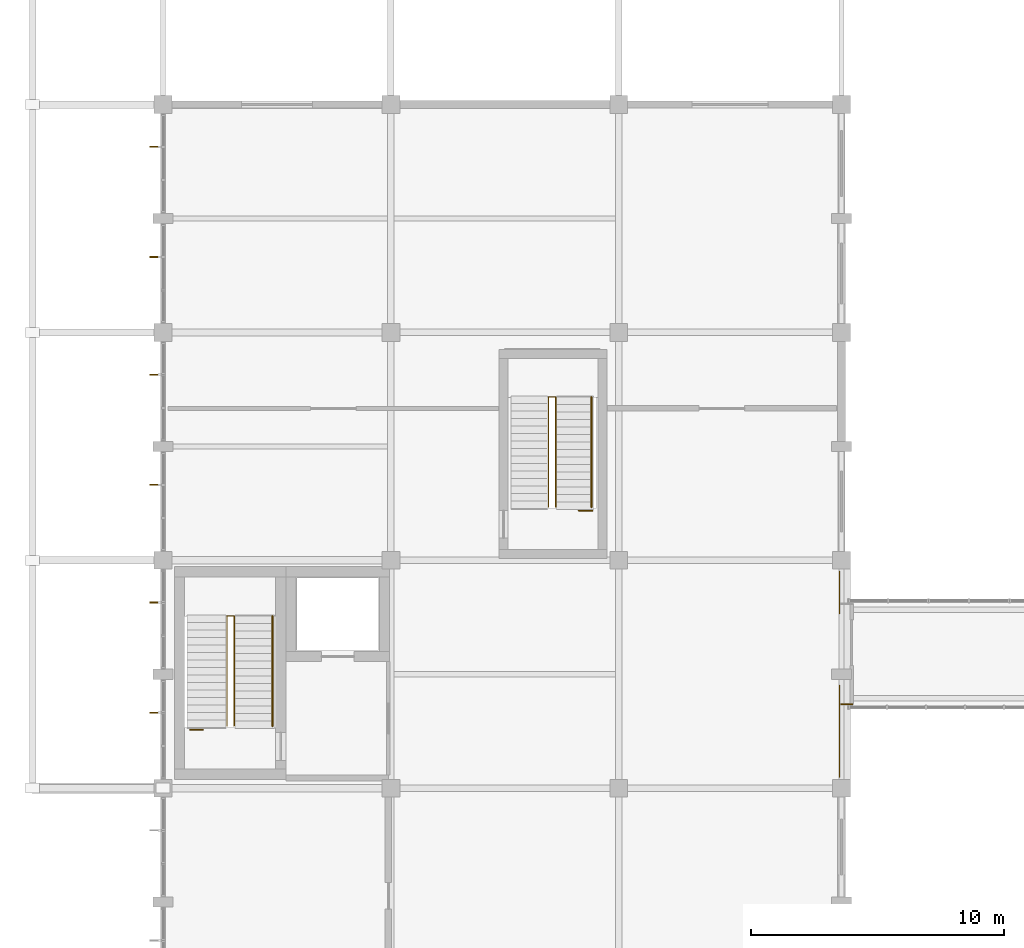
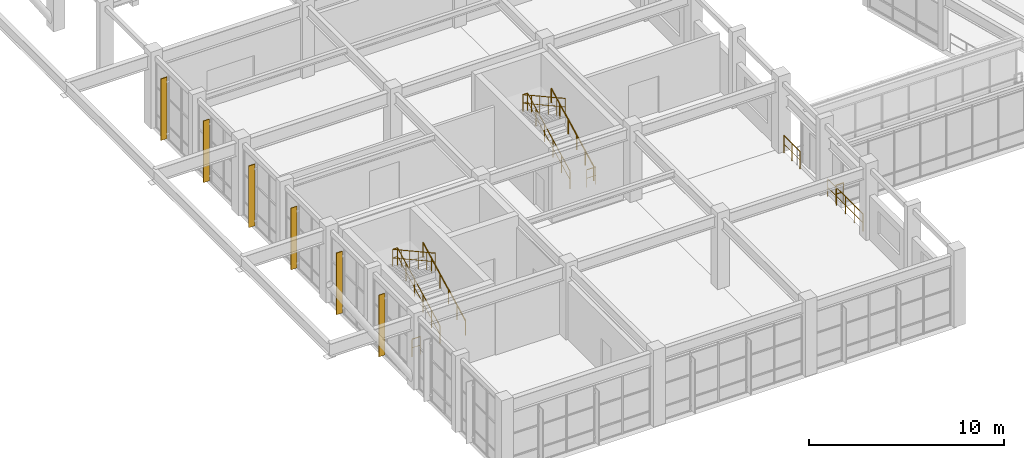
# One storey, part 95 of 99: 9 railings, 6 shading devices.
"""IFC4 building model written with IfcOpenShell, lengths in metres."""

import ifcopenshell
import ifcopenshell.guid

model = None  # the IFC model being written
_history = None  # IfcOwnerHistory: only IFC2X3 demands one
_inside = {}  # id of a spatial element -> (the spatial element, [elements in it])
_under = {}  # id of a project, library or spatial element -> (it, [spatial elements below it])
_declared = {}  # id of a project -> (the project, [libraries it declares])
_typed = {}  # id of a type object -> (the type object, [elements of that type])
_made_of = {}  # id of a material, layer set ... -> (it, [elements and type objects made of it])


def new_model(schema):
    """Start an empty IFC model of exactly this schema.

    Asked for "IFC4X3", IfcOpenShell would pick the latest addendum, in which some entities
    have other attributes; the version numbers below select the first issue.
    IFC2X3 requires an IfcOwnerHistory on every rooted entity: one is made here for all.
    """
    global model, _history
    if schema == "IFC4X3":
        model = ifcopenshell.file(schema_version=(4, 3, 0, 0))
    else:
        model = ifcopenshell.file(schema=schema)
    _inside.clear()
    _under.clear()
    _declared.clear()
    _typed.clear()
    _made_of.clear()
    _history = None
    if model.schema == "IFC2X3":
        org = make("IfcOrganization", Name="unknown")
        user = make(
            "IfcPersonAndOrganization",
            ThePerson=make("IfcPerson", FamilyName="unknown"),
            TheOrganization=org,
        )
        app = make(
            "IfcApplication",
            ApplicationDeveloper=org,
            Version="unknown",
            ApplicationFullName="unknown",
            ApplicationIdentifier="unknown",
        )
        _history = make(
            "IfcOwnerHistory",
            OwningUser=user,
            OwningApplication=app,
            ChangeAction="ADDED",
            CreationDate=0,
        )
    return model


def make(cls, **values):
    """One entity of the class cls with the attributes given. An attribute that is None is left unset."""
    return model.create_entity(
        cls, **{name: value for name, value in values.items() if value is not None}
    )


def rooted(cls, **values):
    """An entity with a GlobalId (a new one), such as an element, a storey or a relation."""
    return make(cls, GlobalId=ifcopenshell.guid.new(), OwnerHistory=_history, **values)


def si_unit(unit_type, name, prefix=None):
    """IfcSIUnit, for example si_unit("LENGTHUNIT", "METRE", prefix="MILLI")."""
    return make("IfcSIUnit", UnitType=unit_type, Prefix=prefix, Name=name)


def assignment(units):
    """IfcUnitAssignment: the units of a project."""
    return None if units is None else make("IfcUnitAssignment", Units=units)


def point(xyz):
    """IfcCartesianPoint."""
    return None if xyz is None else make("IfcCartesianPoint", Coordinates=xyz)


def direction(xyz):
    """IfcDirection."""
    return None if xyz is None else make("IfcDirection", DirectionRatios=xyz)


def frame(location, z_axis=None, x_axis=None):
    """IfcAxis2Placement3D, a coordinate frame: its origin and axes. An axis left out is left unset."""
    return make(
        "IfcAxis2Placement3D",
        Location=point(location),
        Axis=direction(z_axis),
        RefDirection=direction(x_axis),
    )


def frame_2d(location, x_axis=None):
    """IfcAxis2Placement2D, a coordinate frame in the plane: its origin and x axis."""
    return make(
        "IfcAxis2Placement2D", Location=point(location), RefDirection=direction(x_axis)
    )


def origin():
    """The frame at (0, 0, 0) with its axes left unset."""
    return frame((0.0, 0.0, 0.0))


def origin_2d():
    """The frame at (0, 0) in the plane with its x axis left unset."""
    return frame_2d((0.0, 0.0))


def place(relative_to, where):
    """IfcLocalPlacement: puts the frame where relative to a parent placement (None: the world)."""
    return make(
        "IfcLocalPlacement", PlacementRelTo=relative_to, RelativePlacement=where
    )


def context(
    kind, dimensions, precision=None, world=None, true_north=None, identifier=None
):
    """IfcGeometricRepresentationContext, for example the 3D "Model" context."""
    return make(
        "IfcGeometricRepresentationContext",
        ContextIdentifier=identifier,
        ContextType=kind,
        CoordinateSpaceDimension=dimensions,
        Precision=precision,
        WorldCoordinateSystem=world,
        TrueNorth=true_north,
    )


def subcontext(parent, identifier, kind, view, scale=None):
    """IfcGeometricRepresentationSubContext, for example "Body" below "Model"."""
    return make(
        "IfcGeometricRepresentationSubContext",
        ContextIdentifier=identifier,
        ContextType=kind,
        ParentContext=parent,
        TargetScale=scale,
        TargetView=view,
    )


def project(units=None, contexts=None):
    """IfcProject with its units and contexts."""
    return rooted(
        "IfcProject",
        Name="project",
        RepresentationContexts=contexts,
        UnitsInContext=assignment(units),
    )


def spatial(cls, under=None, at=None, **own):
    """A site, building, storey or space (cls), placed at a placement, below another one or the project."""
    s = rooted(cls, ObjectPlacement=at, **own)
    if under is not None:
        _under.setdefault(under.id(), (under, []))[1].append(s)
    return s


def profile(cls, at=None, kind="AREA", **sizes):
    """A parametric profile (cls). Its sizes go by their IFC names, for example OverallWidth=200.0."""
    return make(cls, ProfileType=kind, Position=at, **sizes)


def rectangle(**sizes):
    """IfcRectangleProfileDef."""
    return profile("IfcRectangleProfileDef", **sizes)


def circle(**sizes):
    """IfcCircleProfileDef."""
    return profile("IfcCircleProfileDef", **sizes)


def extrude(swept, where, along, depth):
    """IfcExtrudedAreaSolid: the profile swept, set in the frame where, extruded along a direction by depth."""
    return make(
        "IfcExtrudedAreaSolid",
        SweptArea=swept,
        Position=where,
        ExtrudedDirection=direction(along),
        Depth=depth,
    )


def shape(context_of_items, identifier, shape_type, items):
    """IfcShapeRepresentation: the items that make up one representation, for example the "Body"."""
    return make(
        "IfcShapeRepresentation",
        ContextOfItems=context_of_items,
        RepresentationIdentifier=identifier,
        RepresentationType=shape_type,
        Items=items,
    )


def material(Name=None, Category=None):
    """IfcMaterial."""
    return make("IfcMaterial", Name=Name, Category=Category)


def made_of(thing, what):
    """Note that an element or type object is made of a material, layer set ...; save() writes the relation."""
    if what is not None:
        _made_of.setdefault(what.id(), (what, []))[1].append(thing)
    return thing


def type_object(cls, material=None, **own):
    """A type object (cls), such as IfcWallType, which elements share."""
    return made_of(rooted(cls, **own), material)


def element(
    cls,
    number,
    at=None,
    inside=None,
    cuts=None,
    type_object=None,
    material=None,
    context=None,
    identifier="Body",
    shape_type=None,
    held_by="IfcProductDefinitionShape",
    body=None,
    shapes=None,
    **own,
):
    """One element of the class cls, such as IfcWall. Its Tag is "e" and its number.

    at: its placement. inside: the storey or other place that contains it. cuts: it is an
    opening in that element (IfcRelVoidsElement). A single representation is given by context,
    identifier, shape_type and body (its items); several are given by shapes. held_by: the class
    of the entity that holds the representations. save() writes the other relations.
    """
    e = rooted(cls, Tag="e%d" % number, ObjectPlacement=at, **own)
    if body is not None:
        shapes = [shape(context, identifier, shape_type, body)]
    if shapes is not None:
        e.Representation = make(held_by, Representations=shapes)
    if inside is not None:
        _inside.setdefault(inside.id(), (inside, []))[1].append(e)
    if cuts is not None:
        rooted(
            "IfcRelVoidsElement", RelatingBuildingElement=cuts, RelatedOpeningElement=e
        )
    if type_object is not None:
        _typed.setdefault(type_object.id(), (type_object, []))[1].append(e)
    return made_of(e, material)


def aggregate(whole, parts):
    """IfcRelAggregates: a whole, such as a stair, and the parts it consists of."""
    return rooted("IfcRelAggregates", RelatingObject=whole, RelatedObjects=parts)


def save(model, path):
    """Write the relations noted so far, then the file.

    IfcRelAggregates (storeys below a building ...), IfcRelContainedInSpatialStructure (elements
    in a storey), IfcRelDefinesByType, IfcRelAssociatesMaterial and IfcRelDeclares: one each for
    every whole, place, type object, material and project.
    """
    for whole, parts in _under.values():
        aggregate(whole, parts)
    for where, things in _inside.values():
        rooted(
            "IfcRelContainedInSpatialStructure",
            RelatedElements=things,
            RelatingStructure=where,
        )
    for kind, things in _typed.values():
        rooted("IfcRelDefinesByType", RelatedObjects=things, RelatingType=kind)
    for what, things in _made_of.values():
        rooted("IfcRelAssociatesMaterial", RelatedObjects=things, RelatingMaterial=what)
    for by, libraries in _declared.values():
        rooted("IfcRelDeclares", RelatingContext=by, RelatedDefinitions=libraries)
    model.write(path)


model = new_model("IFC4")

# Units and contexts
model_context = context("Model", 3, precision=1e-05, world=origin(), true_north=direction((0.0, 1.0)))
body_context = subcontext(model_context, "Body", "Model", "MODEL_VIEW")
ifc_project = project(units=[si_unit("LENGTHUNIT", "METRE"), si_unit("AREAUNIT", "SQUARE_METRE"), si_unit("VOLUMEUNIT", "CUBIC_METRE"), si_unit("PLANEANGLEUNIT", "RADIAN"), si_unit("MASSUNIT", "GRAM", prefix="KILO")], contexts=[model_context])

# Site, building, storey
site_placement = place(None, origin())
site = spatial("IfcSite", under=ifc_project, at=site_placement, CompositionType="ELEMENT")
building_placement = place(site_placement, origin())
building = spatial("IfcBuilding", under=site, at=building_placement, Name="Ventoquebrada Cableway Terminal", CompositionType="ELEMENT")
storey_placement = place(building_placement, frame((0.0, 0.0, 9.60009765625)))
storey = spatial("IfcBuildingStorey", under=building, at=storey_placement, Name="L02", CompositionType="ELEMENT", Elevation=9.60009765625)

# Railings
ifc_material_1 = material(Name="Brushed stainless steel Grade 316", Category="steel")
railing_type_1 = type_object("IfcRailingType", Name="RL-GD01", PredefinedType="GUARDRAIL", material=ifc_material_1)
railing_1_placement = place(storey_placement, frame((11.010009765625, 79.449951171875, 0.14990234375)))
element("IfcRailing", 1, at=railing_1_placement, inside=storey, type_object=railing_type_1, Name="Stair well guardrail GR-S15", PredefinedType="GUARDRAIL", context=body_context, shape_type="SweptSolid", body=[
    extrude(circle(Radius=0.02392578125, at=origin_2d()), frame((0.0, 0.001708984375, 1.096923828125), z_axis=(0.0, 0.888221851817, 0.459414782038), x_axis=(-1.0, 0.0, 0.0)), (0.0, 0.0, 1.0), 4.8935546875),
    extrude(circle(Radius=0.01611328125, at=origin_2d()), frame((0.0, 0.001708984375, 0.56103515625), z_axis=(0.0, 0.888221851817, 0.459414782038), x_axis=(-1.0, 0.0, 0.0)), (0.0, 0.0, 1.0), 4.8935546875),
    extrude(circle(Radius=0.02392578125, at=origin_2d()), frame((-0.001953125, 4.35009765625, 3.34619140625), z_axis=(-1.0, 0.0, 0.0), x_axis=(0.0, -1.0, 0.0)), (0.0, 0.0, 1.0), 0.276123046875),
    extrude(circle(Radius=0.01611328125, at=origin_2d()), frame((-0.001953125, 4.35009765625, 2.81005859375), z_axis=(-1.0, 0.0, 0.0), x_axis=(0.0, -1.0, 0.0)), (0.0, 0.0, 1.0), 0.276123046875),
    extrude(circle(Radius=0.02392578125, at=origin_2d()), frame((-0.280029296875, 4.348388671875, 3.346923828125), z_axis=(0.0, -0.875590584852, 0.483053959428), x_axis=(1.0, 0.0, 0.0)), (0.0, 0.0, 1.0), 4.964111328125),
    extrude(circle(Radius=0.01611328125, at=origin_2d()), frame((-0.280029296875, 4.348388671875, 2.81103515625), z_axis=(0.0, -0.875590584852, 0.483053959428), x_axis=(1.0, 0.0, 0.0)), (0.0, 0.0, 1.0), 4.964111328125),
    extrude(circle(Radius=0.02099609375, at=origin_2d()), origin(), (0.0, 0.0, 1.0), 1.072021484375),
    extrude(circle(Radius=0.02099609375, at=origin_2d()), frame((0.0, 0.8701171875, 0.449951171875)), (0.0, 0.0, 1.0), 1.072021484375),
    extrude(circle(Radius=0.02099609375, at=origin_2d()), frame((0.0, 1.739990234375, 0.89990234375)), (0.0, 0.0, 1.0), 1.072021484375),
    extrude(circle(Radius=0.02099609375, at=origin_2d()), frame((0.0, 2.610107421875, 1.35009765625)), (0.0, 0.0, 1.0), 1.072021484375),
    extrude(circle(Radius=0.02099609375, at=origin_2d()), frame((0.0, 3.47998046875, 1.800048828125)), (0.0, 0.0, 1.0), 1.072021484375),
    extrude(circle(Radius=0.02099609375, at=origin_2d()), frame((0.0, 4.35009765625, 2.25)), (0.0, 0.0, 1.0), 1.072021484375),
    extrude(circle(Radius=0.02099609375, at=origin_2d()), frame((-0.280029296875, 4.35009765625, 2.25)), (0.0, 0.0, 1.0), 1.072021484375),
    extrude(circle(Radius=0.02099609375, at=origin_2d()), frame((-0.280029296875, 3.47998046875, 2.72998046875)), (0.0, 0.0, 1.0), 1.072021484375),
    extrude(circle(Radius=0.02099609375, at=origin_2d()), frame((-0.280029296875, 2.610107421875, 3.2099609375)), (0.0, 0.0, 1.0), 1.072021484375),
    extrude(circle(Radius=0.02099609375, at=origin_2d()), frame((-0.280029296875, 1.739990234375, 3.68994140625)), (0.0, 0.0, 1.0), 1.072021484375),
    extrude(circle(Radius=0.02099609375, at=origin_2d()), frame((-0.280029296875, 0.8701171875, 4.169921875)), (0.0, 0.0, 1.0), 1.072021484375),
    extrude(circle(Radius=0.02099609375, at=origin_2d()), frame((-0.280029296875, 0.0, 4.64990234375)), (0.0, 0.0, 1.0), 1.072021484375),
])
railing_2_placement = place(storey_placement, frame((23.7099609375, 88.10009765625, 0.14990234375)))
element("IfcRailing", 2, at=railing_2_placement, inside=storey, type_object=railing_type_1, Name="Stair well guardrail GR-S16", PredefinedType="GUARDRAIL", context=body_context, shape_type="SweptSolid", body=[
    extrude(circle(Radius=0.02392578125, at=origin_2d()), frame((0.0, 0.001708984375, 1.096923828125), z_axis=(0.0, 0.888211329745, 0.459435124596), x_axis=(-1.0, 0.0, 0.0)), (0.0, 0.0, 1.0), 4.893310546875),
    extrude(circle(Radius=0.01611328125, at=origin_2d()), frame((0.0, 0.001708984375, 0.56103515625), z_axis=(0.0, 0.888211329745, 0.459435124596), x_axis=(-1.0, 0.0, 0.0)), (0.0, 0.0, 1.0), 4.893310546875),
    extrude(circle(Radius=0.02392578125, at=origin_2d()), frame((-0.001953125, 4.349853515625, 3.34619140625), z_axis=(-1.0, 0.0, 0.0), x_axis=(0.0, -1.0, 0.0)), (0.0, 0.0, 1.0), 0.276123046875),
    extrude(circle(Radius=0.01611328125, at=origin_2d()), frame((-0.001953125, 4.349853515625, 2.81005859375), z_axis=(-1.0, 0.0, 0.0), x_axis=(0.0, -1.0, 0.0)), (0.0, 0.0, 1.0), 0.276123046875),
    extrude(circle(Radius=0.02392578125, at=origin_2d()), frame((-0.280029296875, 4.34814453125, 3.346923828125), z_axis=(0.0, -0.875579117544, 0.483074744652), x_axis=(1.0, 0.0, 0.0)), (0.0, 0.0, 1.0), 4.9638671875),
    extrude(circle(Radius=0.01611328125, at=origin_2d()), frame((-0.280029296875, 4.34814453125, 2.81103515625), z_axis=(0.0, -0.875579117544, 0.483074744652), x_axis=(1.0, 0.0, 0.0)), (0.0, 0.0, 1.0), 4.9638671875),
    extrude(circle(Radius=0.02099609375, at=origin_2d()), origin(), (0.0, 0.0, 1.0), 1.072021484375),
    extrude(circle(Radius=0.02099609375, at=origin_2d()), frame((0.0, 0.869873046875, 0.449951171875)), (0.0, 0.0, 1.0), 1.072021484375),
    extrude(circle(Radius=0.02099609375, at=origin_2d()), frame((0.0, 1.739990234375, 0.89990234375)), (0.0, 0.0, 1.0), 1.072021484375),
    extrude(circle(Radius=0.02099609375, at=origin_2d()), frame((0.0, 2.60986328125, 1.35009765625)), (0.0, 0.0, 1.0), 1.072021484375),
    extrude(circle(Radius=0.02099609375, at=origin_2d()), frame((0.0, 3.47998046875, 1.800048828125)), (0.0, 0.0, 1.0), 1.072021484375),
    extrude(circle(Radius=0.02099609375, at=origin_2d()), frame((0.0, 4.349853515625, 2.25)), (0.0, 0.0, 1.0), 1.072021484375),
    extrude(circle(Radius=0.02099609375, at=origin_2d()), frame((-0.280029296875, 4.349853515625, 2.25)), (0.0, 0.0, 1.0), 1.072021484375),
    extrude(circle(Radius=0.02099609375, at=origin_2d()), frame((-0.280029296875, 3.47998046875, 2.72998046875)), (0.0, 0.0, 1.0), 1.072021484375),
    extrude(circle(Radius=0.02099609375, at=origin_2d()), frame((-0.280029296875, 2.60986328125, 3.2099609375)), (0.0, 0.0, 1.0), 1.072021484375),
    extrude(circle(Radius=0.02099609375, at=origin_2d()), frame((-0.280029296875, 1.739990234375, 3.68994140625)), (0.0, 0.0, 1.0), 1.072021484375),
    extrude(circle(Radius=0.02099609375, at=origin_2d()), frame((-0.280029296875, 0.869873046875, 4.169921875)), (0.0, 0.0, 1.0), 1.072021484375),
    extrude(circle(Radius=0.02099609375, at=origin_2d()), frame((-0.280029296875, 0.0, 4.64990234375)), (0.0, 0.0, 1.0), 1.072021484375),
])
railing_3_placement = place(storey_placement, frame((34.919921875, 85.55810546875, 0.0)))
element("IfcRailing", 3, at=railing_3_placement, inside=storey, type_object=railing_type_1, Name="Open-edge guardrail GR-E115", PredefinedType="GUARDRAIL", context=body_context, shape_type="SweptSolid", body=[
    extrude(circle(Radius=0.02392578125, at=origin_2d()), frame((0.0, -0.001953125, 1.09619140625), z_axis=(0.0, -1.0, 0.0), x_axis=(1.0, 0.0, 0.0)), (0.0, 0.0, 1.0), 1.650146484375),
    extrude(circle(Radius=0.01611328125, at=origin_2d()), frame((0.0, -0.001953125, 0.56005859375), z_axis=(0.0, -1.0, 0.0), x_axis=(1.0, 0.0, 0.0)), (0.0, 0.0, 1.0), 1.650146484375),
    extrude(circle(Radius=0.02099609375, at=origin_2d()), origin(), (0.0, 0.0, 1.0), 1.072021484375),
    extrude(circle(Radius=0.02099609375, at=origin_2d()), frame((0.0, -0.8271484375, 0.0)), (0.0, 0.0, 1.0), 1.072021484375),
    extrude(circle(Radius=0.02099609375, at=origin_2d()), frame((0.0, -1.654052734375, 0.0)), (0.0, 0.0, 1.0), 1.072021484375),
])
railing_4_placement = place(storey_placement, frame((34.919921875, 81.05810546875, 0.0)))
element("IfcRailing", 4, at=railing_4_placement, inside=storey, type_object=railing_type_1, Name="Open-edge guardrail GR-E116", PredefinedType="GUARDRAIL", context=body_context, shape_type="SweptSolid", body=[
    extrude(circle(Radius=0.02392578125, at=origin_2d()), frame((0.0, -0.001953125, 1.09619140625), z_axis=(0.0, -1.0, 0.0), x_axis=(1.0, 0.0, 0.0)), (0.0, 0.0, 1.0), 3.6123046875),
    extrude(circle(Radius=0.01611328125, at=origin_2d()), frame((0.0, -0.001953125, 0.56005859375), z_axis=(0.0, -1.0, 0.0), x_axis=(1.0, 0.0, 0.0)), (0.0, 0.0, 1.0), 3.6123046875),
    extrude(circle(Radius=0.02099609375, at=origin_2d()), origin(), (0.0, 0.0, 1.0), 1.072021484375),
    extrude(circle(Radius=0.02099609375, at=origin_2d()), frame((0.0, -0.904052734375, 0.0)), (0.0, 0.0, 1.0), 1.072021484375),
    extrude(circle(Radius=0.02099609375, at=origin_2d()), frame((0.0, -1.80810546875, 0.0)), (0.0, 0.0, 1.0), 1.072021484375),
    extrude(circle(Radius=0.02099609375, at=origin_2d()), frame((0.0, -2.712158203125, 0.0)), (0.0, 0.0, 1.0), 1.072021484375),
    extrude(circle(Radius=0.02099609375, at=origin_2d()), frame((0.0, -3.6162109375, 0.0)), (0.0, 0.0, 1.0), 1.072021484375),
])
railing_5_placement = place(storey_placement, frame((24.625, 87.9599609375, 0.0)))
element("IfcRailing", 5, at=railing_5_placement, inside=storey, type_object=railing_type_1, Name="Open-edge guardrail GR-E117", PredefinedType="GUARDRAIL", context=body_context, shape_type="SweptSolid", body=[
    extrude(circle(Radius=0.02392578125, at=origin_2d()), frame((0.001953125, 0.0, 1.09619140625), z_axis=(1.0, 0.0, 0.0), x_axis=(0.0, 1.0, 0.0)), (0.0, 0.0, 1.0), 0.526123046875),
    extrude(circle(Radius=0.01611328125, at=origin_2d()), frame((0.001953125, 0.0, 0.56005859375), z_axis=(1.0, 0.0, 0.0), x_axis=(0.0, 1.0, 0.0)), (0.0, 0.0, 1.0), 0.526123046875),
    extrude(circle(Radius=0.02099609375, at=origin_2d()), origin(), (0.0, 0.0, 1.0), 1.072021484375),
    extrude(circle(Radius=0.02099609375, at=origin_2d()), frame((0.530029296875, 0.0, 0.0)), (0.0, 0.0, 1.0), 1.072021484375),
])
railing_6_placement = place(storey_placement, frame((9.27001953125, 79.31005859375, 0.0)))
element("IfcRailing", 6, at=railing_6_placement, inside=storey, type_object=railing_type_1, Name="Open-edge guardrail GR-E118", PredefinedType="GUARDRAIL", context=body_context, shape_type="SweptSolid", body=[
    extrude(circle(Radius=0.02392578125, at=origin_2d()), frame((0.001953125, 0.0, 1.09619140625), z_axis=(1.0, 0.0, 0.0), x_axis=(0.0, 1.0, 0.0)), (0.0, 0.0, 1.0), 0.490966796875),
    extrude(circle(Radius=0.01611328125, at=origin_2d()), frame((0.001953125, 0.0, 0.56005859375), z_axis=(1.0, 0.0, 0.0), x_axis=(0.0, 1.0, 0.0)), (0.0, 0.0, 1.0), 0.490966796875),
    extrude(circle(Radius=0.02099609375, at=origin_2d()), origin(), (0.0, 0.0, 1.0), 1.072021484375),
    extrude(circle(Radius=0.02099609375, at=origin_2d()), frame((0.494873046875, 0.0, 0.0)), (0.0, 0.0, 1.0), 1.072021484375),
])
railing_type_2 = type_object("IfcRailingType", Name="RL-GD02", PredefinedType="BALUSTRADE", material=ifc_material_1)
railing_7_placement = place(storey_placement, frame((34.97998046875, 80.320068359375, 0.0)))
element("IfcRailing", 7, at=railing_7_placement, inside=storey, type_object=railing_type_2, Name="Bridge end closure guardrail GR-B054", PredefinedType="BALUSTRADE", context=body_context, shape_type="SweptSolid", body=[
    extrude(circle(Radius=0.02392578125, at=origin_2d()), frame((0.001953125, 0.0, 1.1259765625), z_axis=(1.0, 0.0, 0.0), x_axis=(0.0, 1.0, 0.0)), (0.0, 0.0, 1.0), 0.43603515625),
    extrude(circle(Radius=0.01611328125, at=origin_2d()), frame((0.001953125, 0.0, 0.574951171875), z_axis=(1.0, 0.0, 0.0), x_axis=(0.0, 1.0, 0.0)), (0.0, 0.0, 1.0), 0.43603515625),
    extrude(circle(Radius=0.02099609375, at=origin_2d()), origin(), (0.0, 0.0, 1.0), 1.101806640625),
    extrude(circle(Radius=0.02099609375, at=origin_2d()), frame((0.43994140625, 0.0, 0.0)), (0.0, 0.0, 1.0), 1.101806640625),
])
railing_type_3 = type_object("IfcRailingType", Name="RL-HR01", PredefinedType="HANDRAIL", material=ifc_material_1)
railing_8_placement = place(storey_placement, frame((12.52001953125, 79.449951171875, 0.14990234375)))
element("IfcRailing", 8, at=railing_8_placement, inside=storey, type_object=railing_type_3, Name="Stair wall handrail HR-S15", PredefinedType="HANDRAIL", context=body_context, shape_type="SweptSolid", body=[
    extrude(circle(Radius=0.02392578125, at=origin_2d()), frame((0.0, 0.001708984375, 0.896728515625), z_axis=(0.0, 0.888221851817, 0.459414782038), x_axis=(-1.0, 0.0, 0.0)), (0.0, 0.0, 1.0), 4.8935546875),
    extrude(circle(Radius=0.02099609375, at=origin_2d()), origin(), (0.0, 0.0, 1.0), 0.871826171875),
    extrude(circle(Radius=0.02099609375, at=origin_2d()), frame((0.0, 0.8701171875, 0.449951171875)), (0.0, 0.0, 1.0), 0.871826171875),
    extrude(circle(Radius=0.02099609375, at=origin_2d()), frame((0.0, 1.739990234375, 0.89990234375)), (0.0, 0.0, 1.0), 0.871826171875),
    extrude(circle(Radius=0.02099609375, at=origin_2d()), frame((0.0, 2.610107421875, 1.35009765625)), (0.0, 0.0, 1.0), 0.871826171875),
    extrude(circle(Radius=0.02099609375, at=origin_2d()), frame((0.0, 3.47998046875, 1.800048828125)), (0.0, 0.0, 1.0), 0.871826171875),
    extrude(circle(Radius=0.02099609375, at=origin_2d()), frame((0.0, 4.35009765625, 2.25)), (0.0, 0.0, 1.0), 0.871826171875),
])
railing_9_placement = place(storey_placement, frame((25.1201171875, 88.10009765625, 0.14990234375)))
element("IfcRailing", 9, at=railing_9_placement, inside=storey, type_object=railing_type_3, Name="Stair wall handrail HR-S16", PredefinedType="HANDRAIL", context=body_context, shape_type="SweptSolid", body=[
    extrude(circle(Radius=0.02392578125, at=origin_2d()), frame((0.0, 0.001708984375, 0.896728515625), z_axis=(0.0, 0.888211329745, 0.459435124596), x_axis=(-1.0, 0.0, 0.0)), (0.0, 0.0, 1.0), 4.893310546875),
    extrude(circle(Radius=0.02099609375, at=origin_2d()), origin(), (0.0, 0.0, 1.0), 0.871826171875),
    extrude(circle(Radius=0.02099609375, at=origin_2d()), frame((0.0, 0.869873046875, 0.449951171875)), (0.0, 0.0, 1.0), 0.871826171875),
    extrude(circle(Radius=0.02099609375, at=origin_2d()), frame((0.0, 1.739990234375, 0.89990234375)), (0.0, 0.0, 1.0), 0.871826171875),
    extrude(circle(Radius=0.02099609375, at=origin_2d()), frame((0.0, 2.60986328125, 1.35009765625)), (0.0, 0.0, 1.0), 0.871826171875),
    extrude(circle(Radius=0.02099609375, at=origin_2d()), frame((0.0, 3.47998046875, 1.800048828125)), (0.0, 0.0, 1.0), 0.871826171875),
    extrude(circle(Radius=0.02099609375, at=origin_2d()), frame((0.0, 4.349853515625, 2.25)), (0.0, 0.0, 1.0), 0.871826171875),
])

# Shading devices
ifc_material_2 = material(Name="Anodized thermally-broken aluminium", Category="aluminium")
shading_device_type = type_object("IfcShadingDeviceType", Name="SHD-AW1", PredefinedType="AWNING", material=ifc_material_2)
for number, where, z_axis, x_axis, name in (
    (10, (7.860107421875, 84.33203125, 0.14990234375), (0.0, 0.0, 1.0), (0.0, -1.0, 0.0), "Extruded aluminium sunshade fin FN-021"),
    (11, (7.860107421875, 79.98193359375, 0.14990234375), (0.0, 0.0, 1.0), (0.0, -1.0, 0.0), "Extruded aluminium sunshade fin FN-022"),
    (12, (7.860107421875, 93.33203125, 0.14990234375), (0.0, 0.0, 1.0), (0.0, -1.0, 0.0), "Extruded aluminium sunshade fin FN-023"),
    (13, (7.860107421875, 88.98193359375, 0.14990234375), (0.0, 0.0, 1.0), (0.0, -1.0, 0.0), "Extruded aluminium sunshade fin FN-024"),
    (14, (7.860107421875, 102.33203125, 0.14990234375), (0.0, 0.0, 1.0), (0.0, -1.0, 0.0), "Extruded aluminium sunshade fin FN-025"),
    (15, (7.860107421875, 97.98193359375, 0.14990234375), (0.0, 0.0, 1.0), (0.0, -1.0, 0.0), "Extruded aluminium sunshade fin FN-026"),
):
    element("IfcShadingDevice", number, at=place(storey_placement, frame(where, z_axis=z_axis, x_axis=x_axis)), inside=storey, type_object=shading_device_type, Name=name, PredefinedType="AWNING", context=body_context, shape_type="SweptSolid", body=[
        extrude(rectangle(XDim=0.044921875, YDim=0.360107421875, at=origin_2d()), origin(), (0.0, 0.0, 1.0), 3.860107421875),
    ])

save(model, "model.ifc")
